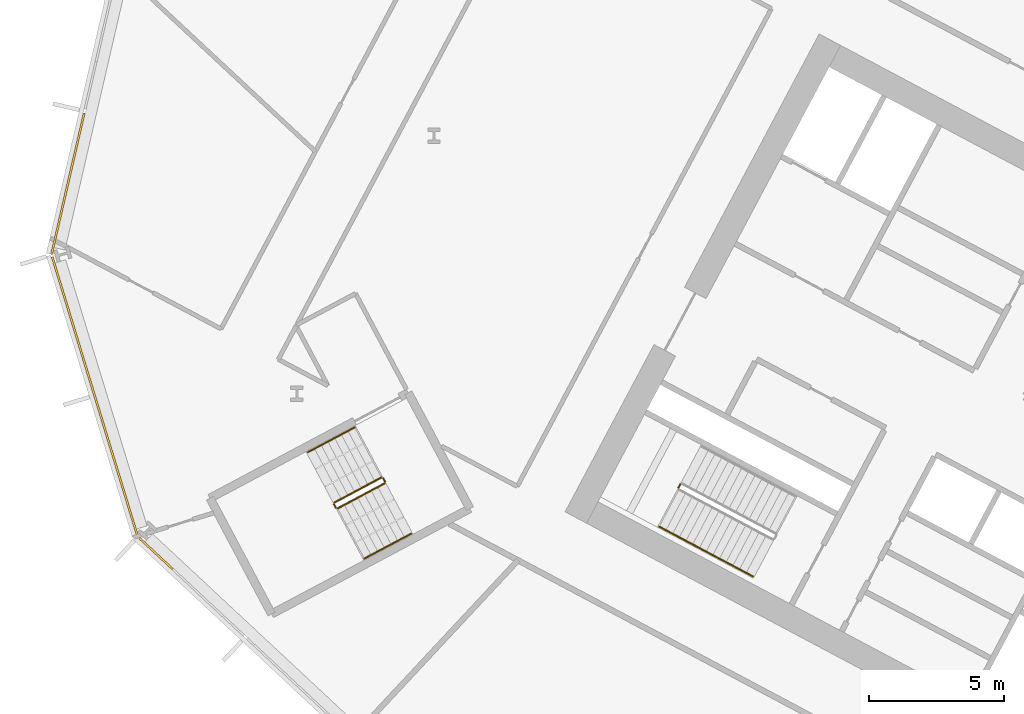
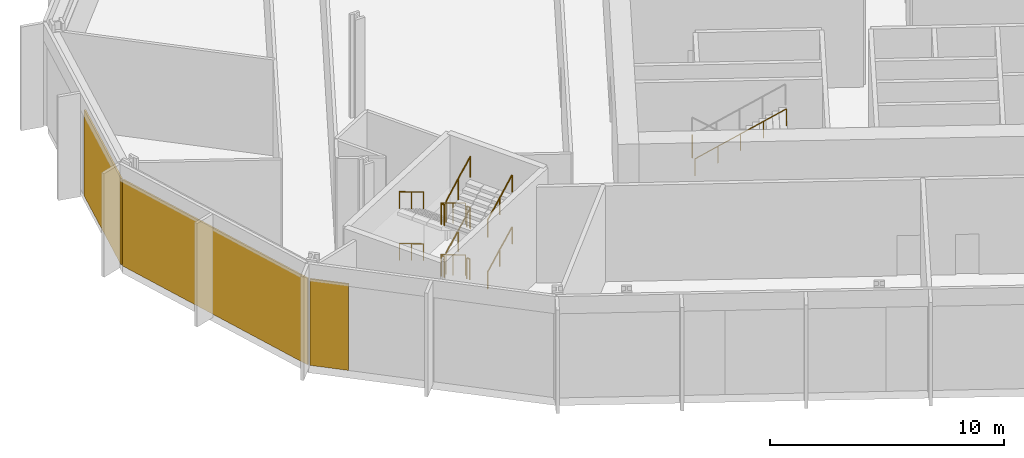
# One storey, part 22 of 32: 14 railings, 3 coverings, 3 elements without a shape of their own.
"""IFC4 building model written with IfcOpenShell, lengths in metres."""

import ifcopenshell
import ifcopenshell.guid

model = None  # the IFC model being written
_history = None  # IfcOwnerHistory: only IFC2X3 demands one
_inside = {}  # id of a spatial element -> (the spatial element, [elements in it])
_under = {}  # id of a project, library or spatial element -> (it, [spatial elements below it])
_declared = {}  # id of a project -> (the project, [libraries it declares])
_typed = {}  # id of a type object -> (the type object, [elements of that type])
_made_of = {}  # id of a material, layer set ... -> (it, [elements and type objects made of it])


def new_model(schema):
    """Start an empty IFC model of exactly this schema.

    Asked for "IFC4X3", IfcOpenShell would pick the latest addendum, in which some entities
    have other attributes; the version numbers below select the first issue.
    IFC2X3 requires an IfcOwnerHistory on every rooted entity: one is made here for all.
    """
    global model, _history
    if schema == "IFC4X3":
        model = ifcopenshell.file(schema_version=(4, 3, 0, 0))
    else:
        model = ifcopenshell.file(schema=schema)
    _inside.clear()
    _under.clear()
    _declared.clear()
    _typed.clear()
    _made_of.clear()
    _history = None
    if model.schema == "IFC2X3":
        org = make("IfcOrganization", Name="unknown")
        user = make(
            "IfcPersonAndOrganization",
            ThePerson=make("IfcPerson", FamilyName="unknown"),
            TheOrganization=org,
        )
        app = make(
            "IfcApplication",
            ApplicationDeveloper=org,
            Version="unknown",
            ApplicationFullName="unknown",
            ApplicationIdentifier="unknown",
        )
        _history = make(
            "IfcOwnerHistory",
            OwningUser=user,
            OwningApplication=app,
            ChangeAction="ADDED",
            CreationDate=0,
        )
    return model


def make(cls, **values):
    """One entity of the class cls with the attributes given. An attribute that is None is left unset."""
    return model.create_entity(
        cls, **{name: value for name, value in values.items() if value is not None}
    )


def rooted(cls, **values):
    """An entity with a GlobalId (a new one), such as an element, a storey or a relation."""
    return make(cls, GlobalId=ifcopenshell.guid.new(), OwnerHistory=_history, **values)


def si_unit(unit_type, name, prefix=None):
    """IfcSIUnit, for example si_unit("LENGTHUNIT", "METRE", prefix="MILLI")."""
    return make("IfcSIUnit", UnitType=unit_type, Prefix=prefix, Name=name)


def assignment(units):
    """IfcUnitAssignment: the units of a project."""
    return None if units is None else make("IfcUnitAssignment", Units=units)


def point(xyz):
    """IfcCartesianPoint."""
    return None if xyz is None else make("IfcCartesianPoint", Coordinates=xyz)


def direction(xyz):
    """IfcDirection."""
    return None if xyz is None else make("IfcDirection", DirectionRatios=xyz)


def frame(location, z_axis=None, x_axis=None):
    """IfcAxis2Placement3D, a coordinate frame: its origin and axes. An axis left out is left unset."""
    return make(
        "IfcAxis2Placement3D",
        Location=point(location),
        Axis=direction(z_axis),
        RefDirection=direction(x_axis),
    )


def frame_2d(location, x_axis=None):
    """IfcAxis2Placement2D, a coordinate frame in the plane: its origin and x axis."""
    return make(
        "IfcAxis2Placement2D", Location=point(location), RefDirection=direction(x_axis)
    )


def origin():
    """The frame at (0, 0, 0) with its axes left unset."""
    return frame((0.0, 0.0, 0.0))


def origin_2d():
    """The frame at (0, 0) in the plane with its x axis left unset."""
    return frame_2d((0.0, 0.0))


def place(relative_to, where):
    """IfcLocalPlacement: puts the frame where relative to a parent placement (None: the world)."""
    return make(
        "IfcLocalPlacement", PlacementRelTo=relative_to, RelativePlacement=where
    )


def context(
    kind, dimensions, precision=None, world=None, true_north=None, identifier=None
):
    """IfcGeometricRepresentationContext, for example the 3D "Model" context."""
    return make(
        "IfcGeometricRepresentationContext",
        ContextIdentifier=identifier,
        ContextType=kind,
        CoordinateSpaceDimension=dimensions,
        Precision=precision,
        WorldCoordinateSystem=world,
        TrueNorth=true_north,
    )


def subcontext(parent, identifier, kind, view, scale=None):
    """IfcGeometricRepresentationSubContext, for example "Body" below "Model"."""
    return make(
        "IfcGeometricRepresentationSubContext",
        ContextIdentifier=identifier,
        ContextType=kind,
        ParentContext=parent,
        TargetScale=scale,
        TargetView=view,
    )


def project(units=None, contexts=None):
    """IfcProject with its units and contexts."""
    return rooted(
        "IfcProject",
        Name="project",
        RepresentationContexts=contexts,
        UnitsInContext=assignment(units),
    )


def spatial(cls, under=None, at=None, **own):
    """A site, building, storey or space (cls), placed at a placement, below another one or the project."""
    s = rooted(cls, ObjectPlacement=at, **own)
    if under is not None:
        _under.setdefault(under.id(), (under, []))[1].append(s)
    return s


def polyline(points):
    """IfcPolyline through the points."""
    return make("IfcPolyline", Points=[point(p) for p in points])


def profile(cls, at=None, kind="AREA", **sizes):
    """A parametric profile (cls). Its sizes go by their IFC names, for example OverallWidth=200.0."""
    return make(cls, ProfileType=kind, Position=at, **sizes)


def rectangle(**sizes):
    """IfcRectangleProfileDef."""
    return profile("IfcRectangleProfileDef", **sizes)


def outline(outer, holes=None, kind="AREA"):
    """IfcArbitraryClosedProfileDef: a profile drawn as a closed curve; with holes, ...WithVoids."""
    if holes is None:
        return make("IfcArbitraryClosedProfileDef", ProfileType=kind, OuterCurve=outer)
    return make(
        "IfcArbitraryProfileDefWithVoids",
        ProfileType=kind,
        OuterCurve=outer,
        InnerCurves=holes,
    )


def extrude(swept, where, along, depth):
    """IfcExtrudedAreaSolid: the profile swept, set in the frame where, extruded along a direction by depth."""
    return make(
        "IfcExtrudedAreaSolid",
        SweptArea=swept,
        Position=where,
        ExtrudedDirection=direction(along),
        Depth=depth,
    )


def shape(context_of_items, identifier, shape_type, items):
    """IfcShapeRepresentation: the items that make up one representation, for example the "Body"."""
    return make(
        "IfcShapeRepresentation",
        ContextOfItems=context_of_items,
        RepresentationIdentifier=identifier,
        RepresentationType=shape_type,
        Items=items,
    )


def material(Name=None, Category=None):
    """IfcMaterial."""
    return make("IfcMaterial", Name=Name, Category=Category)


def layer(
    of_material, thickness, ventilated=None, Name=None, Category=None, Priority=None
):
    """IfcMaterialLayer: one layer of a wall or slab, of a material (None: an air gap)."""
    return make(
        "IfcMaterialLayer",
        Material=of_material,
        LayerThickness=thickness,
        IsVentilated=ventilated,
        Name=Name,
        Category=Category,
        Priority=Priority,
    )


def layer_set(layers, Name=None):
    """IfcMaterialLayerSet."""
    return make("IfcMaterialLayerSet", MaterialLayers=layers, LayerSetName=Name)


def made_of(thing, what):
    """Note that an element or type object is made of a material, layer set ...; save() writes the relation."""
    if what is not None:
        _made_of.setdefault(what.id(), (what, []))[1].append(thing)
    return thing


def type_object(cls, material=None, **own):
    """A type object (cls), such as IfcWallType, which elements share."""
    return made_of(rooted(cls, **own), material)


def element(
    cls,
    number,
    at=None,
    inside=None,
    cuts=None,
    type_object=None,
    material=None,
    context=None,
    identifier="Body",
    shape_type=None,
    held_by="IfcProductDefinitionShape",
    body=None,
    shapes=None,
    **own,
):
    """One element of the class cls, such as IfcWall. Its Tag is "e" and its number.

    at: its placement. inside: the storey or other place that contains it. cuts: it is an
    opening in that element (IfcRelVoidsElement). A single representation is given by context,
    identifier, shape_type and body (its items); several are given by shapes. held_by: the class
    of the entity that holds the representations. save() writes the other relations.
    """
    e = rooted(cls, Tag="e%d" % number, ObjectPlacement=at, **own)
    if body is not None:
        shapes = [shape(context, identifier, shape_type, body)]
    if shapes is not None:
        e.Representation = make(held_by, Representations=shapes)
    if inside is not None:
        _inside.setdefault(inside.id(), (inside, []))[1].append(e)
    if cuts is not None:
        rooted(
            "IfcRelVoidsElement", RelatingBuildingElement=cuts, RelatedOpeningElement=e
        )
    if type_object is not None:
        _typed.setdefault(type_object.id(), (type_object, []))[1].append(e)
    return made_of(e, material)


def aggregate(whole, parts):
    """IfcRelAggregates: a whole, such as a stair, and the parts it consists of."""
    return rooted("IfcRelAggregates", RelatingObject=whole, RelatedObjects=parts)


def save(model, path):
    """Write the relations noted so far, then the file.

    IfcRelAggregates (storeys below a building ...), IfcRelContainedInSpatialStructure (elements
    in a storey), IfcRelDefinesByType, IfcRelAssociatesMaterial and IfcRelDeclares: one each for
    every whole, place, type object, material and project.
    """
    for whole, parts in _under.values():
        aggregate(whole, parts)
    for where, things in _inside.values():
        rooted(
            "IfcRelContainedInSpatialStructure",
            RelatedElements=things,
            RelatingStructure=where,
        )
    for kind, things in _typed.values():
        rooted("IfcRelDefinesByType", RelatedObjects=things, RelatingType=kind)
    for what, things in _made_of.values():
        rooted("IfcRelAssociatesMaterial", RelatedObjects=things, RelatingMaterial=what)
    for by, libraries in _declared.values():
        rooted("IfcRelDeclares", RelatingContext=by, RelatedDefinitions=libraries)
    model.write(path)


model = new_model("IFC4")

# Units and contexts
model_context = context("Model", 3, precision=1e-05, world=origin(), true_north=direction((0.0, 1.0)))
body_context = subcontext(model_context, "Body", "Model", "MODEL_VIEW")
ifc_project = project(units=[si_unit("LENGTHUNIT", "METRE"), si_unit("AREAUNIT", "SQUARE_METRE"), si_unit("VOLUMEUNIT", "CUBIC_METRE"), si_unit("PLANEANGLEUNIT", "RADIAN"), si_unit("MASSUNIT", "GRAM", prefix="KILO")], contexts=[model_context])

# Site, building, storey
site_placement = place(None, origin())
site = spatial("IfcSite", under=ifc_project, at=site_placement, CompositionType="ELEMENT")
building_placement = place(site_placement, origin())
building = spatial("IfcBuilding", under=site, at=building_placement, Name="Cormorant Relay Tower", CompositionType="ELEMENT")
storey_placement = place(building_placement, frame((0.0, 0.0, 60.800048828125)))
storey = spatial("IfcBuildingStorey", under=building, at=storey_placement, Name="L11", CompositionType="ELEMENT", Elevation=60.800048828125)

# Curtain wall, covering
ifc_material_1 = material(Name="Aluminium 6063-T6 anodised bronze", Category="aluminium")
ifc_layer_1 = layer(ifc_material_1, 0.235107421875)
ifc_layer_set_1 = layer_set([ifc_layer_1], Name="CW6 data hall curtain wall with mineral wool panels")
curtain_wall_type = type_object("IfcCurtainWallType", Name="CW6 data hall curtain wall with mineral wool panels", PredefinedType="NOTDEFINED", material=ifc_layer_set_1)
curtain_wall_1_placement = place(storey_placement, origin())
curtain_wall_1 = element("IfcCurtainWall", 1, at=curtain_wall_1_placement, inside=storey, type_object=curtain_wall_type, Name="CW6 curtain wall 11", PredefinedType="NOTDEFINED")
ifc_material_2 = material(Name="Mineral wool cored anodised bronze aluminium cassette panel", Category="aluminium")
ifc_layer_2 = layer(ifc_material_2, 0.074951171875)
ifc_layer_set_2 = layer_set([ifc_layer_2], Name="CW6 mineral wool cassette panel 75")
covering_type = type_object("IfcCoveringType", Name="CW6 mineral wool cassette panel 75", PredefinedType="CLADDING", material=ifc_layer_set_2)
covering_1_placement = place(storey_placement, frame((-60.153564453125, 23.01318359375, 0.0), z_axis=(0.0, 0.0, 1.0), x_axis=(-0.224951054344, -0.974370064785, 0.0)))
covering_1 = element("IfcCovering", 2, at=covering_1_placement, type_object=covering_type, Name="CW6 panel S02", PredefinedType="CLADDING", context=body_context, shape_type="SweptSolid", body=[
    extrude(rectangle(XDim=5.360107421875, YDim=0.074951171875, at=origin_2d()), origin(), (0.0, 0.0, 1.0), 4.5),
])
aggregate(curtain_wall_1, [covering_1])

curtain_wall_2_placement = place(storey_placement, origin())
curtain_wall_2 = element("IfcCurtainWall", 3, at=curtain_wall_2_placement, inside=storey, type_object=curtain_wall_type, Name="CW6 curtain wall 12", PredefinedType="NOTDEFINED")
covering_2_placement = place(storey_placement, frame((-59.155517578125, 15.148681640625, 0.0), z_axis=(0.0, 0.0, 1.0), x_axis=(0.292371704723, -0.956304755963, 0.0)))
covering_2 = element("IfcCovering", 4, at=covering_2_placement, type_object=covering_type, Name="CW6 panel S00", PredefinedType="CLADDING", context=body_context, shape_type="SweptSolid", body=[
    extrude(rectangle(XDim=10.79541015625, YDim=0.074951171875, at=origin_2d()), origin(), (0.0, 0.0, 1.0), 4.5),
])
aggregate(curtain_wall_2, [covering_2])

curtain_wall_3_placement = place(storey_placement, origin())
curtain_wall_3 = element("IfcCurtainWall", 5, at=curtain_wall_3_placement, inside=storey, type_object=curtain_wall_type, Name="CW6 curtain wall 13", PredefinedType="NOTDEFINED")
covering_3_placement = place(storey_placement, frame((-56.89599609375, 9.3447265625, 0.0), z_axis=(0.0, 0.0, 1.0), x_axis=(0.731353701619, -0.681998360062, 0.0)))
covering_3 = element("IfcCovering", 6, at=covering_3_placement, type_object=covering_type, Name="CW6 panel S00", PredefinedType="CLADDING", context=body_context, shape_type="SweptSolid", body=[
    extrude(rectangle(XDim=1.685302734375, YDim=0.074951171875, at=origin_2d()), origin(), (0.0, 0.0, 1.0), 4.5),
])
aggregate(curtain_wall_3, [covering_3])

# Railings
ifc_material_3 = material(Name="Steel ASTM A572 Grade 50 (Fy 345 MPa)", Category="steel")
railing_type_1 = type_object("IfcRailingType", Name="Stair guard 1100", PredefinedType="GUARDRAIL", material=ifc_material_3)
railing_1_placement = place(storey_placement, frame((-37.52099609375, 11.908935546875, 2.699951171875)))
element("IfcRailing", 7, at=railing_1_placement, inside=storey, type_object=railing_type_1, Name="L11 A2 stair guard 2", PredefinedType="GUARDRAIL", context=body_context, shape_type="SweptSolid", body=[
    extrude(outline(polyline([(0.022216796875, 0.00927734375), (0.00927734375, 0.022216796875), (-0.00927734375, 0.022216796875), (-0.022216796875, 0.00927734375), (-0.022216796875, -0.00927734375), (-0.00927734375, -0.022216796875), (0.00927734375, -0.022216796875), (0.022216796875, -0.00927734375), (0.022216796875, 0.00927734375)])), frame((0.0, 0.0, 1.076171875), z_axis=(-0.469234640946, -0.883073525669, 0.0), x_axis=(0.883073525669, -0.469234640946, 0.0)), (0.0, 0.0, 1.0), 0.14990234375),
    extrude(outline(polyline([(0.019287109375, 0.008056640625), (0.008056640625, 0.019287109375), (-0.008056640625, 0.019287109375), (-0.019287109375, 0.008056640625), (-0.019287109375, -0.008056640625), (-0.008056640625, -0.019287109375), (0.008056640625, -0.019287109375), (0.019287109375, -0.008056640625), (0.019287109375, 0.008056640625)])), origin(), (0.0, 0.0, 1.0), 1.052001953125),
    extrude(outline(polyline([(0.019287109375, 0.008056640625), (0.008056640625, 0.019287109375), (-0.008056640625, 0.019287109375), (-0.019287109375, 0.008056640625), (-0.019287109375, -0.008056640625), (-0.008056640625, -0.019287109375), (0.008056640625, -0.019287109375), (0.019287109375, -0.008056640625), (0.019287109375, 0.008056640625)])), frame((-0.0703125, -0.13232421875, 0.0)), (0.0, 0.0, 1.0), 1.052001953125),
])
railing_2_placement = place(storey_placement, frame((-48.5693359375, 12.155517578125, 0.168701171875)))
element("IfcRailing", 8, at=railing_2_placement, inside=storey, type_object=railing_type_1, Name="L11 RP1 stair guard 1", PredefinedType="GUARDRAIL", context=body_context, shape_type="SweptSolid", body=[
    extrude(outline(polyline([(0.022216796875, 0.00927734375), (0.00927734375, 0.022216796875), (-0.00927734375, 0.022216796875), (-0.022216796875, 0.00927734375), (-0.022216796875, -0.00927734375), (-0.00927734375, -0.022216796875), (0.00927734375, -0.022216796875), (0.022216796875, -0.00927734375), (0.022216796875, 0.00927734375)])), frame((0.0, 0.0, 1.076171875), z_axis=(-0.756267991755, -0.402084082512, 0.516127034012), x_axis=(0.469443581604, -0.882962470149, 0.0)), (0.0, 0.0, 1.0), 2.28857421875),
    extrude(outline(polyline([(0.019287109375, 0.008056640625), (0.008056640625, 0.019287109375), (-0.008056640625, 0.019287109375), (-0.019287109375, 0.008056640625), (-0.019287109375, -0.008056640625), (-0.008056640625, -0.019287109375), (0.008056640625, -0.019287109375), (0.019287109375, -0.008056640625), (0.019287109375, 0.008056640625)])), origin(), (0.0, 0.0, 1.0), 1.052001953125),
    extrude(outline(polyline([(0.019287109375, 0.008056640625), (0.008056640625, 0.019287109375), (-0.008056640625, 0.019287109375), (-0.019287109375, 0.008056640625), (-0.019287109375, -0.008056640625), (-0.008056640625, -0.019287109375), (0.008056640625, -0.019287109375), (0.019287109375, -0.008056640625), (0.019287109375, 0.008056640625)])), frame((-0.865234375, -0.4599609375, 0.590576171875)), (0.0, 0.0, 1.0), 1.052001953125),
    extrude(outline(polyline([(0.019287109375, 0.008056640625), (0.008056640625, 0.019287109375), (-0.008056640625, 0.019287109375), (-0.019287109375, 0.008056640625), (-0.019287109375, -0.008056640625), (-0.008056640625, -0.019287109375), (0.008056640625, -0.019287109375), (0.019287109375, -0.008056640625), (0.019287109375, 0.008056640625)])), frame((-1.730712890625, -0.920166015625, 1.18115234375)), (0.0, 0.0, 1.0), 1.052001953125),
])
railing_3_placement = place(storey_placement, frame((-50.320556640625, 11.167724609375, 1.349853515625)))
element("IfcRailing", 9, at=railing_3_placement, inside=storey, type_object=railing_type_1, Name="L11 RP1 stair guard 2", PredefinedType="GUARDRAIL", context=body_context, shape_type="SweptSolid", body=[
    extrude(outline(polyline([(0.022216796875, 0.00927734375), (0.00927734375, 0.022216796875), (-0.00927734375, 0.022216796875), (-0.022216796875, 0.00927734375), (-0.022216796875, -0.00927734375), (-0.00927734375, -0.022216796875), (0.00927734375, -0.022216796875), (0.022216796875, -0.00927734375), (0.022216796875, 0.00927734375)])), frame((0.0, 0.0, 1.076171875), z_axis=(0.46856034887, -0.8834314911, 0.0), x_axis=(0.8834314911, 0.46856034887, 0.0)), (0.0, 0.0, 1.0), 0.150146484375),
    extrude(outline(polyline([(0.019287109375, 0.008056640625), (0.008056640625, 0.019287109375), (-0.008056640625, 0.019287109375), (-0.019287109375, 0.008056640625), (-0.019287109375, -0.008056640625), (-0.008056640625, -0.019287109375), (0.008056640625, -0.019287109375), (0.019287109375, -0.008056640625), (0.019287109375, 0.008056640625)])), origin(), (0.0, 0.0, 1.0), 1.052001953125),
    extrude(outline(polyline([(0.019287109375, 0.008056640625), (0.008056640625, 0.019287109375), (-0.008056640625, 0.019287109375), (-0.019287109375, 0.008056640625), (-0.019287109375, -0.008056640625), (-0.008056640625, -0.019287109375), (0.008056640625, -0.019287109375), (0.019287109375, -0.008056640625), (0.019287109375, 0.008056640625)])), frame((0.0703125, -0.132568359375, 0.0)), (0.0, 0.0, 1.0), 1.052001953125),
])
railing_4_placement = place(storey_placement, frame((-50.1826171875, 11.014404296875, 1.518798828125)))
element("IfcRailing", 10, at=railing_4_placement, inside=storey, type_object=railing_type_1, Name="L11 RP1 stair guard 3", PredefinedType="GUARDRAIL", context=body_context, shape_type="SweptSolid", body=[
    extrude(outline(polyline([(0.022216796875, 0.00927734375), (0.00927734375, 0.022216796875), (-0.00927734375, 0.022216796875), (-0.022216796875, 0.00927734375), (-0.022216796875, -0.00927734375), (-0.00927734375, -0.022216796875), (0.00927734375, -0.022216796875), (0.022216796875, -0.00927734375), (0.022216796875, 0.00927734375)])), frame((0.0, 0.0, 1.076171875), z_axis=(0.756267991755, 0.402084082512, 0.516127034012), x_axis=(-0.469443581604, 0.882962470149, 0.0)), (0.0, 0.0, 1.0), 2.28857421875),
    extrude(outline(polyline([(0.019287109375, 0.008056640625), (0.008056640625, 0.019287109375), (-0.008056640625, 0.019287109375), (-0.019287109375, 0.008056640625), (-0.019287109375, -0.008056640625), (-0.008056640625, -0.019287109375), (0.008056640625, -0.019287109375), (0.019287109375, -0.008056640625), (0.019287109375, 0.008056640625)])), origin(), (0.0, 0.0, 1.0), 1.052001953125),
    extrude(outline(polyline([(0.019287109375, 0.008056640625), (0.008056640625, 0.019287109375), (-0.008056640625, 0.019287109375), (-0.019287109375, 0.008056640625), (-0.019287109375, -0.008056640625), (-0.008056640625, -0.019287109375), (0.008056640625, -0.019287109375), (0.019287109375, -0.008056640625), (0.019287109375, 0.008056640625)])), frame((0.865234375, 0.4599609375, 0.590576171875)), (0.0, 0.0, 1.0), 1.052001953125),
    extrude(outline(polyline([(0.019287109375, 0.008056640625), (0.008056640625, 0.019287109375), (-0.008056640625, 0.019287109375), (-0.019287109375, 0.008056640625), (-0.019287109375, -0.008056640625), (-0.008056640625, -0.019287109375), (0.008056640625, -0.019287109375), (0.019287109375, -0.008056640625), (0.019287109375, 0.008056640625)])), frame((1.730712890625, 0.920166015625, 1.18115234375)), (0.0, 0.0, 1.0), 1.052001953125),
])
railing_5_placement = place(storey_placement, frame((-48.501708984375, 12.134765625, 2.699951171875)))
element("IfcRailing", 11, at=railing_5_placement, inside=storey, type_object=railing_type_1, Name="L11 RP1 stair guard 4", PredefinedType="GUARDRAIL", context=body_context, shape_type="SweptSolid", body=[
    extrude(outline(polyline([(0.022216796875, 0.00927734375), (0.00927734375, 0.022216796875), (-0.00927734375, 0.022216796875), (-0.022216796875, 0.00927734375), (-0.022216796875, -0.00927734375), (-0.00927734375, -0.022216796875), (0.00927734375, -0.022216796875), (0.022216796875, -0.00927734375), (0.022216796875, 0.00927734375)])), frame((0.0, 0.0, 1.076171875), z_axis=(0.46856034887, -0.8834314911, 0.0), x_axis=(0.8834314911, 0.46856034887, 0.0)), (0.0, 0.0, 1.0), 0.150146484375),
    extrude(outline(polyline([(0.019287109375, 0.008056640625), (0.008056640625, 0.019287109375), (-0.008056640625, 0.019287109375), (-0.019287109375, 0.008056640625), (-0.019287109375, -0.008056640625), (-0.008056640625, -0.019287109375), (0.008056640625, -0.019287109375), (0.019287109375, -0.008056640625), (0.019287109375, 0.008056640625)])), origin(), (0.0, 0.0, 1.0), 1.052001953125),
    extrude(outline(polyline([(0.019287109375, 0.008056640625), (0.008056640625, 0.019287109375), (-0.008056640625, 0.019287109375), (-0.019287109375, 0.008056640625), (-0.019287109375, -0.008056640625), (-0.008056640625, -0.019287109375), (0.008056640625, -0.019287109375), (0.019287109375, -0.008056640625), (0.019287109375, 0.008056640625)])), frame((0.0703125, -0.132568359375, 0.0)), (0.0, 0.0, 1.0), 1.052001953125),
])
railing_6_placement = place(storey_placement, frame((-48.5693359375, 12.155517578125, 2.86865234375)))
element("IfcRailing", 12, at=railing_6_placement, inside=storey, type_object=railing_type_1, Name="L11 RP1 stair guard 5", PredefinedType="GUARDRAIL", context=body_context, shape_type="SweptSolid", body=[
    extrude(outline(polyline([(0.022216796875, 0.00927734375), (0.00927734375, 0.022216796875), (-0.00927734375, 0.022216796875), (-0.022216796875, 0.00927734375), (-0.022216796875, -0.00927734375), (-0.00927734375, -0.022216796875), (0.00927734375, -0.022216796875), (0.022216796875, -0.00927734375), (0.022216796875, 0.00927734375)])), frame((0.0, 0.0, 1.076171875), z_axis=(-0.756226349707, -0.402061942735, 0.516205290765), x_axis=(0.469443581604, -0.882962470149, 0.0)), (0.0, 0.0, 1.0), 2.28857421875),
    extrude(outline(polyline([(0.019287109375, 0.008056640625), (0.008056640625, 0.019287109375), (-0.008056640625, 0.019287109375), (-0.019287109375, 0.008056640625), (-0.019287109375, -0.008056640625), (-0.008056640625, -0.019287109375), (0.008056640625, -0.019287109375), (0.019287109375, -0.008056640625), (0.019287109375, 0.008056640625)])), origin(), (0.0, 0.0, 1.0), 1.052001953125),
    extrude(outline(polyline([(0.019287109375, 0.008056640625), (0.008056640625, 0.019287109375), (-0.008056640625, 0.019287109375), (-0.019287109375, 0.008056640625), (-0.019287109375, -0.008056640625), (-0.008056640625, -0.019287109375), (0.008056640625, -0.019287109375), (0.019287109375, -0.008056640625), (0.019287109375, 0.008056640625)])), frame((-0.865234375, -0.4599609375, 0.5908203125)), (0.0, 0.0, 1.0), 1.052001953125),
    extrude(outline(polyline([(0.019287109375, 0.008056640625), (0.008056640625, 0.019287109375), (-0.008056640625, 0.019287109375), (-0.019287109375, 0.008056640625), (-0.019287109375, -0.008056640625), (-0.008056640625, -0.019287109375), (0.008056640625, -0.019287109375), (0.019287109375, -0.008056640625), (0.019287109375, 0.008056640625)])), frame((-1.730712890625, -0.920166015625, 1.181396484375)), (0.0, 0.0, 1.0), 1.052001953125),
])
railing_7_placement = place(storey_placement, frame((-50.320556640625, 11.167724609375, 4.050048828125)))
element("IfcRailing", 13, at=railing_7_placement, inside=storey, type_object=railing_type_1, Name="L11 RP1 stair guard 6", PredefinedType="GUARDRAIL", context=body_context, shape_type="SweptSolid", body=[
    extrude(outline(polyline([(0.022216796875, 0.00927734375), (0.00927734375, 0.022216796875), (-0.00927734375, 0.022216796875), (-0.022216796875, 0.00927734375), (-0.022216796875, -0.00927734375), (-0.00927734375, -0.022216796875), (0.00927734375, -0.022216796875), (0.022216796875, -0.00927734375), (0.022216796875, 0.00927734375)])), frame((0.0, 0.0, 1.076171875), z_axis=(0.46856034887, -0.8834314911, 0.0), x_axis=(0.8834314911, 0.46856034887, 0.0)), (0.0, 0.0, 1.0), 0.150146484375),
    extrude(outline(polyline([(0.019287109375, 0.008056640625), (0.008056640625, 0.019287109375), (-0.008056640625, 0.019287109375), (-0.019287109375, 0.008056640625), (-0.019287109375, -0.008056640625), (-0.008056640625, -0.019287109375), (0.008056640625, -0.019287109375), (0.019287109375, -0.008056640625), (0.019287109375, 0.008056640625)])), origin(), (0.0, 0.0, 1.0), 1.052001953125),
    extrude(outline(polyline([(0.019287109375, 0.008056640625), (0.008056640625, 0.019287109375), (-0.008056640625, 0.019287109375), (-0.019287109375, 0.008056640625), (-0.019287109375, -0.008056640625), (-0.008056640625, -0.019287109375), (0.008056640625, -0.019287109375), (0.019287109375, -0.008056640625), (0.019287109375, 0.008056640625)])), frame((0.0703125, -0.132568359375, 0.0)), (0.0, 0.0, 1.0), 1.052001953125),
])
railing_8_placement = place(storey_placement, frame((-50.1826171875, 11.014404296875, 4.21875)))
element("IfcRailing", 14, at=railing_8_placement, inside=storey, type_object=railing_type_1, Name="L11 RP1 stair guard 7", PredefinedType="GUARDRAIL", context=body_context, shape_type="SweptSolid", body=[
    extrude(outline(polyline([(0.022216796875, 0.00927734375), (0.00927734375, 0.022216796875), (-0.00927734375, 0.022216796875), (-0.022216796875, 0.00927734375), (-0.022216796875, -0.00927734375), (-0.00927734375, -0.022216796875), (0.00927734375, -0.022216796875), (0.022216796875, -0.00927734375), (0.022216796875, 0.00927734375)])), frame((0.0, 0.0, 1.076171875), z_axis=(0.756267991755, 0.402084082512, 0.516127034012), x_axis=(-0.469443581604, 0.882962470149, 0.0)), (0.0, 0.0, 1.0), 2.28857421875),
    extrude(outline(polyline([(0.019287109375, 0.008056640625), (0.008056640625, 0.019287109375), (-0.008056640625, 0.019287109375), (-0.019287109375, 0.008056640625), (-0.019287109375, -0.008056640625), (-0.008056640625, -0.019287109375), (0.008056640625, -0.019287109375), (0.019287109375, -0.008056640625), (0.019287109375, 0.008056640625)])), origin(), (0.0, 0.0, 1.0), 1.052001953125),
    extrude(outline(polyline([(0.019287109375, 0.008056640625), (0.008056640625, 0.019287109375), (-0.008056640625, 0.019287109375), (-0.019287109375, 0.008056640625), (-0.019287109375, -0.008056640625), (-0.008056640625, -0.019287109375), (0.008056640625, -0.019287109375), (0.019287109375, -0.008056640625), (0.019287109375, 0.008056640625)])), frame((0.865234375, 0.4599609375, 0.590576171875)), (0.0, 0.0, 1.0), 1.052001953125),
    extrude(outline(polyline([(0.019287109375, 0.008056640625), (0.008056640625, 0.019287109375), (-0.008056640625, 0.019287109375), (-0.019287109375, 0.008056640625), (-0.019287109375, -0.008056640625), (-0.008056640625, -0.019287109375), (0.008056640625, -0.019287109375), (0.019287109375, -0.008056640625), (0.019287109375, 0.008056640625)])), frame((1.730712890625, 0.920166015625, 1.18115234375)), (0.0, 0.0, 1.0), 1.052001953125),
])
railing_9_placement = place(storey_placement, frame((-48.501708984375, 12.134765625, 0.0)))
element("IfcRailing", 15, at=railing_9_placement, inside=storey, type_object=railing_type_1, Name="L11 RP1 stair guard 8", PredefinedType="GUARDRAIL", context=body_context, shape_type="SweptSolid", body=[
    extrude(outline(polyline([(0.022216796875, 0.00927734375), (0.00927734375, 0.022216796875), (-0.00927734375, 0.022216796875), (-0.022216796875, 0.00927734375), (-0.022216796875, -0.00927734375), (-0.00927734375, -0.022216796875), (0.00927734375, -0.022216796875), (0.022216796875, -0.00927734375), (0.022216796875, 0.00927734375)])), frame((0.0, 0.0, 1.076171875), z_axis=(0.46856034887, -0.8834314911, 0.0), x_axis=(0.8834314911, 0.46856034887, 0.0)), (0.0, 0.0, 1.0), 0.150146484375),
    extrude(outline(polyline([(0.019287109375, 0.008056640625), (0.008056640625, 0.019287109375), (-0.008056640625, 0.019287109375), (-0.019287109375, 0.008056640625), (-0.019287109375, -0.008056640625), (-0.008056640625, -0.019287109375), (0.008056640625, -0.019287109375), (0.019287109375, -0.008056640625), (0.019287109375, 0.008056640625)])), origin(), (0.0, 0.0, 1.0), 1.052001953125),
    extrude(outline(polyline([(0.019287109375, 0.008056640625), (0.008056640625, 0.019287109375), (-0.008056640625, 0.019287109375), (-0.019287109375, 0.008056640625), (-0.019287109375, -0.008056640625), (-0.008056640625, -0.019287109375), (0.008056640625, -0.019287109375), (0.019287109375, -0.008056640625), (0.019287109375, 0.008056640625)])), frame((0.0703125, -0.132568359375, 0.0)), (0.0, 0.0, 1.0), 1.052001953125),
])
ifc_material_4 = material(Name="Steel ASTM A572 Grade 50 (Fy 345 MPa)", Category="steel")
railing_type_2 = type_object("IfcRailingType", Name="Stair handrail 900", PredefinedType="HANDRAIL", material=ifc_material_4)
railing_10_placement = place(storey_placement, frame((-38.29833984375, 10.34033203125, 2.8798828125)))
element("IfcRailing", 16, at=railing_10_placement, inside=storey, type_object=railing_type_2, Name="L11 A2 stair handrail 2", PredefinedType="HANDRAIL", context=body_context, shape_type="SweptSolid", body=[
    extrude(outline(polyline([(0.022216796875, 0.00927734375), (0.00927734375, 0.022216796875), (-0.00927734375, 0.022216796875), (-0.022216796875, 0.00927734375), (-0.022216796875, -0.00927734375), (-0.00927734375, -0.022216796875), (0.00927734375, -0.022216796875), (0.022216796875, -0.00927734375), (0.022216796875, 0.00927734375)])), frame((0.0, 0.0, 0.8759765625), z_axis=(0.74271721126, -0.394907409077, 0.540758062681), x_axis=(0.469469396681, 0.882948744594, 0.0)), (0.0, 0.0, 1.0), 4.66015625),
    extrude(outline(polyline([(0.019287109375, 0.008056640625), (0.008056640625, 0.019287109375), (-0.008056640625, 0.019287109375), (-0.019287109375, 0.008056640625), (-0.019287109375, -0.008056640625), (-0.008056640625, -0.019287109375), (0.008056640625, -0.019287109375), (0.019287109375, -0.008056640625), (0.019287109375, 0.008056640625)])), origin(), (0.0, 0.0, 1.0), 0.851806640625),
    extrude(outline(polyline([(0.019287109375, 0.008056640625), (0.008056640625, 0.019287109375), (-0.008056640625, 0.019287109375), (-0.019287109375, 0.008056640625), (-0.019287109375, -0.008056640625), (-0.008056640625, -0.019287109375), (0.008056640625, -0.019287109375), (0.019287109375, -0.008056640625), (0.019287109375, 0.008056640625)])), frame((0.865234375, -0.4599609375, 0.6298828125)), (0.0, 0.0, 1.0), 0.851806640625),
    extrude(outline(polyline([(0.019287109375, 0.008056640625), (0.008056640625, 0.019287109375), (-0.008056640625, 0.019287109375), (-0.019287109375, 0.008056640625), (-0.019287109375, -0.008056640625), (-0.008056640625, -0.019287109375), (0.008056640625, -0.019287109375), (0.019287109375, -0.008056640625), (0.019287109375, 0.008056640625)])), frame((1.73046875, -0.920166015625, 1.260009765625)), (0.0, 0.0, 1.0), 0.851806640625),
    extrude(outline(polyline([(0.019287109375, 0.008056640625), (0.008056640625, 0.019287109375), (-0.008056640625, 0.019287109375), (-0.019287109375, 0.008056640625), (-0.019287109375, -0.008056640625), (-0.008056640625, -0.019287109375), (0.008056640625, -0.019287109375), (0.019287109375, -0.008056640625), (0.019287109375, 0.008056640625)])), frame((2.595947265625, -1.38037109375, 1.89013671875)), (0.0, 0.0, 1.0), 0.851806640625),
    extrude(outline(polyline([(0.019287109375, 0.008056640625), (0.008056640625, 0.019287109375), (-0.008056640625, 0.019287109375), (-0.019287109375, 0.008056640625), (-0.019287109375, -0.008056640625), (-0.008056640625, -0.019287109375), (0.008056640625, -0.019287109375), (0.019287109375, -0.008056640625), (0.019287109375, 0.008056640625)])), frame((3.461181640625, -1.84033203125, 2.52001953125)), (0.0, 0.0, 1.0), 0.851806640625),
])
railing_11_placement = place(storey_placement, frame((-49.55517578125, 14.009521484375, 0.168701171875)))
element("IfcRailing", 17, at=railing_11_placement, inside=storey, type_object=railing_type_2, Name="L11 RP1 stair handrail 1", PredefinedType="HANDRAIL", context=body_context, shape_type="SweptSolid", body=[
    extrude(outline(polyline([(0.022216796875, 0.00927734375), (0.00927734375, 0.022216796875), (-0.00927734375, 0.022216796875), (-0.022216796875, 0.00927734375), (-0.022216796875, -0.00927734375), (-0.00927734375, -0.022216796875), (0.00927734375, -0.022216796875), (0.022216796875, -0.00927734375), (0.022216796875, 0.00927734375)])), frame((0.0, 0.0, 0.8759765625), z_axis=(-0.756267991755, -0.402084082512, 0.516127034012), x_axis=(0.469443581604, -0.882962470149, 0.0)), (0.0, 0.0, 1.0), 2.28857421875),
    extrude(outline(polyline([(0.019287109375, 0.008056640625), (0.008056640625, 0.019287109375), (-0.008056640625, 0.019287109375), (-0.019287109375, 0.008056640625), (-0.019287109375, -0.008056640625), (-0.008056640625, -0.019287109375), (0.008056640625, -0.019287109375), (0.019287109375, -0.008056640625), (0.019287109375, 0.008056640625)])), origin(), (0.0, 0.0, 1.0), 0.851806640625),
    extrude(outline(polyline([(0.019287109375, 0.008056640625), (0.008056640625, 0.019287109375), (-0.008056640625, 0.019287109375), (-0.019287109375, 0.008056640625), (-0.019287109375, -0.008056640625), (-0.008056640625, -0.019287109375), (0.008056640625, -0.019287109375), (0.019287109375, -0.008056640625), (0.019287109375, 0.008056640625)])), frame((-0.865234375, -0.4599609375, 0.590576171875)), (0.0, 0.0, 1.0), 0.851806640625),
    extrude(outline(polyline([(0.019287109375, 0.008056640625), (0.008056640625, 0.019287109375), (-0.008056640625, 0.019287109375), (-0.019287109375, 0.008056640625), (-0.019287109375, -0.008056640625), (-0.008056640625, -0.019287109375), (0.008056640625, -0.019287109375), (0.019287109375, -0.008056640625), (0.019287109375, 0.008056640625)])), frame((-1.730712890625, -0.920166015625, 1.18115234375)), (0.0, 0.0, 1.0), 0.851806640625),
])
railing_12_placement = place(storey_placement, frame((-49.19677734375, 9.160400390625, 1.518798828125)))
element("IfcRailing", 18, at=railing_12_placement, inside=storey, type_object=railing_type_2, Name="L11 RP1 stair handrail 2", PredefinedType="HANDRAIL", context=body_context, shape_type="SweptSolid", body=[
    extrude(outline(polyline([(0.022216796875, 0.00927734375), (0.00927734375, 0.022216796875), (-0.00927734375, 0.022216796875), (-0.022216796875, 0.00927734375), (-0.022216796875, -0.00927734375), (-0.00927734375, -0.022216796875), (0.00927734375, -0.022216796875), (0.022216796875, -0.00927734375), (0.022216796875, 0.00927734375)])), frame((0.0, 0.0, 0.8759765625), z_axis=(0.756267991755, 0.402084082512, 0.516127034012), x_axis=(-0.469443581604, 0.882962470149, 0.0)), (0.0, 0.0, 1.0), 2.28857421875),
    extrude(outline(polyline([(0.019287109375, 0.008056640625), (0.008056640625, 0.019287109375), (-0.008056640625, 0.019287109375), (-0.019287109375, 0.008056640625), (-0.019287109375, -0.008056640625), (-0.008056640625, -0.019287109375), (0.008056640625, -0.019287109375), (0.019287109375, -0.008056640625), (0.019287109375, 0.008056640625)])), origin(), (0.0, 0.0, 1.0), 0.851806640625),
    extrude(outline(polyline([(0.019287109375, 0.008056640625), (0.008056640625, 0.019287109375), (-0.008056640625, 0.019287109375), (-0.019287109375, 0.008056640625), (-0.019287109375, -0.008056640625), (-0.008056640625, -0.019287109375), (0.008056640625, -0.019287109375), (0.019287109375, -0.008056640625), (0.019287109375, 0.008056640625)])), frame((0.865234375, 0.4599609375, 0.590576171875)), (0.0, 0.0, 1.0), 0.851806640625),
    extrude(outline(polyline([(0.019287109375, 0.008056640625), (0.008056640625, 0.019287109375), (-0.008056640625, 0.019287109375), (-0.019287109375, 0.008056640625), (-0.019287109375, -0.008056640625), (-0.008056640625, -0.019287109375), (0.008056640625, -0.019287109375), (0.019287109375, -0.008056640625), (0.019287109375, 0.008056640625)])), frame((1.730712890625, 0.920166015625, 1.18115234375)), (0.0, 0.0, 1.0), 0.851806640625),
])
railing_13_placement = place(storey_placement, frame((-49.55517578125, 14.009521484375, 2.86865234375)))
element("IfcRailing", 19, at=railing_13_placement, inside=storey, type_object=railing_type_2, Name="L11 RP1 stair handrail 3", PredefinedType="HANDRAIL", context=body_context, shape_type="SweptSolid", body=[
    extrude(outline(polyline([(0.022216796875, 0.00927734375), (0.00927734375, 0.022216796875), (-0.00927734375, 0.022216796875), (-0.022216796875, 0.00927734375), (-0.022216796875, -0.00927734375), (-0.00927734375, -0.022216796875), (0.00927734375, -0.022216796875), (0.022216796875, -0.00927734375), (0.022216796875, 0.00927734375)])), frame((0.0, 0.0, 0.8759765625), z_axis=(-0.756226349707, -0.402061942735, 0.516205290765), x_axis=(0.469443581604, -0.882962470149, 0.0)), (0.0, 0.0, 1.0), 2.28857421875),
    extrude(outline(polyline([(0.019287109375, 0.008056640625), (0.008056640625, 0.019287109375), (-0.008056640625, 0.019287109375), (-0.019287109375, 0.008056640625), (-0.019287109375, -0.008056640625), (-0.008056640625, -0.019287109375), (0.008056640625, -0.019287109375), (0.019287109375, -0.008056640625), (0.019287109375, 0.008056640625)])), origin(), (0.0, 0.0, 1.0), 0.851806640625),
    extrude(outline(polyline([(0.019287109375, 0.008056640625), (0.008056640625, 0.019287109375), (-0.008056640625, 0.019287109375), (-0.019287109375, 0.008056640625), (-0.019287109375, -0.008056640625), (-0.008056640625, -0.019287109375), (0.008056640625, -0.019287109375), (0.019287109375, -0.008056640625), (0.019287109375, 0.008056640625)])), frame((-0.865234375, -0.4599609375, 0.5908203125)), (0.0, 0.0, 1.0), 0.851806640625),
    extrude(outline(polyline([(0.019287109375, 0.008056640625), (0.008056640625, 0.019287109375), (-0.008056640625, 0.019287109375), (-0.019287109375, 0.008056640625), (-0.019287109375, -0.008056640625), (-0.008056640625, -0.019287109375), (0.008056640625, -0.019287109375), (0.019287109375, -0.008056640625), (0.019287109375, 0.008056640625)])), frame((-1.730712890625, -0.920166015625, 1.181396484375)), (0.0, 0.0, 1.0), 0.851806640625),
])
railing_14_placement = place(storey_placement, frame((-49.19677734375, 9.160400390625, 4.21875)))
element("IfcRailing", 20, at=railing_14_placement, inside=storey, type_object=railing_type_2, Name="L11 RP1 stair handrail 4", PredefinedType="HANDRAIL", context=body_context, shape_type="SweptSolid", body=[
    extrude(outline(polyline([(0.022216796875, 0.00927734375), (0.00927734375, 0.022216796875), (-0.00927734375, 0.022216796875), (-0.022216796875, 0.00927734375), (-0.022216796875, -0.00927734375), (-0.00927734375, -0.022216796875), (0.00927734375, -0.022216796875), (0.022216796875, -0.00927734375), (0.022216796875, 0.00927734375)])), frame((0.0, 0.0, 0.8759765625), z_axis=(0.756267991755, 0.402084082512, 0.516127034012), x_axis=(-0.469443581604, 0.882962470149, 0.0)), (0.0, 0.0, 1.0), 2.28857421875),
    extrude(outline(polyline([(0.019287109375, 0.008056640625), (0.008056640625, 0.019287109375), (-0.008056640625, 0.019287109375), (-0.019287109375, 0.008056640625), (-0.019287109375, -0.008056640625), (-0.008056640625, -0.019287109375), (0.008056640625, -0.019287109375), (0.019287109375, -0.008056640625), (0.019287109375, 0.008056640625)])), origin(), (0.0, 0.0, 1.0), 0.851806640625),
    extrude(outline(polyline([(0.019287109375, 0.008056640625), (0.008056640625, 0.019287109375), (-0.008056640625, 0.019287109375), (-0.019287109375, 0.008056640625), (-0.019287109375, -0.008056640625), (-0.008056640625, -0.019287109375), (0.008056640625, -0.019287109375), (0.019287109375, -0.008056640625), (0.019287109375, 0.008056640625)])), frame((0.865234375, 0.4599609375, 0.590576171875)), (0.0, 0.0, 1.0), 0.851806640625),
    extrude(outline(polyline([(0.019287109375, 0.008056640625), (0.008056640625, 0.019287109375), (-0.008056640625, 0.019287109375), (-0.019287109375, 0.008056640625), (-0.019287109375, -0.008056640625), (-0.008056640625, -0.019287109375), (0.008056640625, -0.019287109375), (0.019287109375, -0.008056640625), (0.019287109375, 0.008056640625)])), frame((1.730712890625, 0.920166015625, 1.18115234375)), (0.0, 0.0, 1.0), 0.851806640625),
])

save(model, "model.ifc")
